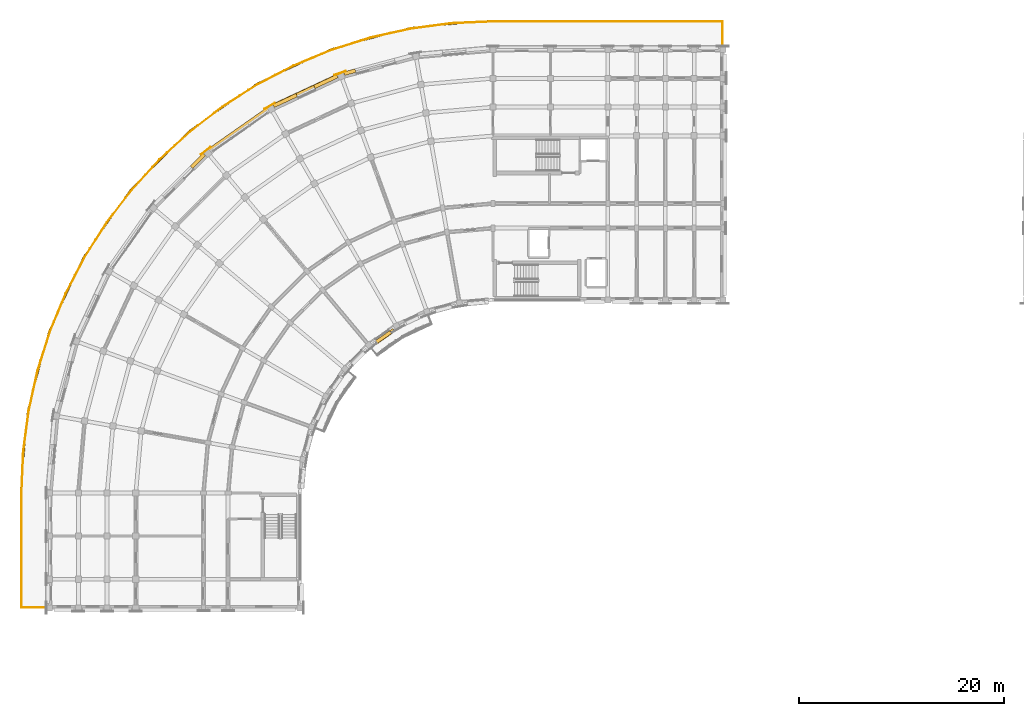
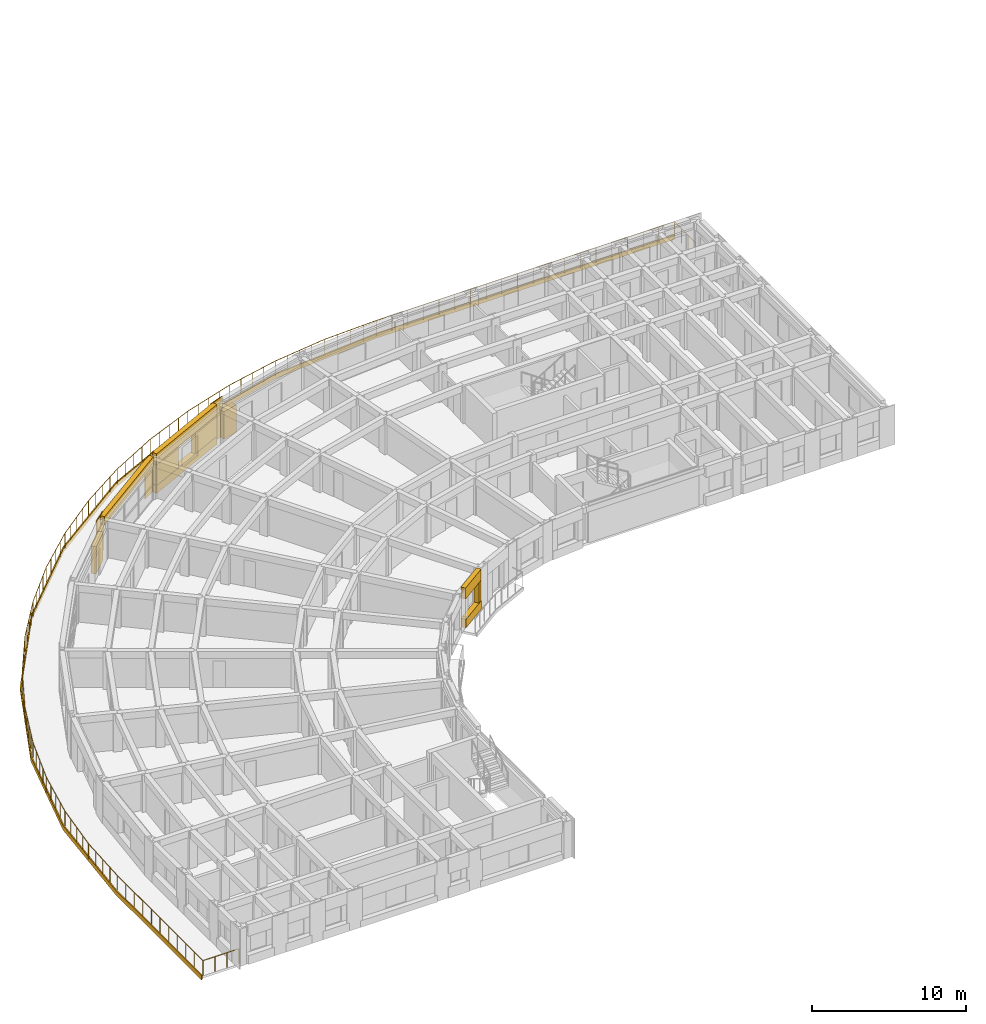
# One storey, part 25 of 32: 14 coverings, 1 railing.
"""IFC4 building model written with IfcOpenShell, lengths in metres."""

from ifc_helpers import new_model, si_unit, direction, frame, origin, origin_2d, place, context, subcontext, project, spatial, polyline, circle, outline, extrude, material, layer, layer_set, type_object, element, save


model = new_model("IFC4")

# Units and contexts
model_context = context("Model", 3, precision=1e-05, world=origin(), true_north=direction((0.0, 1.0)))
body_context = subcontext(model_context, "Body", "Model", "MODEL_VIEW")
ifc_project = project(units=[si_unit("LENGTHUNIT", "METRE"), si_unit("AREAUNIT", "SQUARE_METRE"), si_unit("VOLUMEUNIT", "CUBIC_METRE"), si_unit("PLANEANGLEUNIT", "RADIAN"), si_unit("MASSUNIT", "GRAM", prefix="KILO")], contexts=[model_context])

# Site, building, storey
site_placement = place(None, origin())
site = spatial("IfcSite", under=ifc_project, at=site_placement, CompositionType="ELEMENT")
building_placement = place(site_placement, origin())
building = spatial("IfcBuilding", under=site, at=building_placement, Name="Kiranvali Square Residences", CompositionType="ELEMENT")
storey_placement = place(building_placement, frame((0.0, 0.0, 40.199951171875)))
storey = spatial("IfcBuildingStorey", under=building, at=storey_placement, Name="L12", CompositionType="ELEMENT", Elevation=40.199951171875)

# Coverings
ifc_material_1 = material(Name="Carved Porbandar limestone classical entablature and cornice", Category="masonry")
ifc_layer_1 = layer(ifc_material_1, 0.449951171875)
ifc_layer_set_1 = layer_set([ifc_layer_1], Name="Carved Porbandar limestone classical entablature and cornice")
covering_type_1 = type_object("IfcCoveringType", Name="COV-CLAD-CORN", PredefinedType="CLADDING", material=ifc_layer_set_1)
covering_1_placement = place(storey_placement, frame((0.0, 0.0, -0.280029296875)))
element("IfcCovering", 1, at=covering_1_placement, inside=storey, type_object=covering_type_1, Name="Block A L12 stepped curved terrace stone cornice band", PredefinedType="CLADDING", context=body_context, shape_type="SweptSolid", body=[
    extrude(outline(polyline([(70.60009765625, 133.885009765625), (48.199951171875, 133.885009765625), (40.197509765625, 133.184814453125), (32.43798828125, 131.105712890625), (25.157470703125, 127.710693359375), (18.5771484375, 123.103271484375), (12.896728515625, 117.4228515625), (8.289306640625, 110.842529296875), (4.894287109375, 103.56201171875), (2.815185546875, 95.802490234375), (2.114990234375, 87.800048828125), (2.114990234375, 76.60009765625), (2.197998046875, 76.60009765625), (2.197998046875, 87.800048828125), (2.89697265625, 95.7880859375), (4.97216796875, 103.53369140625), (8.361083984375, 110.801025390625), (12.96044921875, 117.36962890625), (18.63037109375, 123.03955078125), (25.198974609375, 127.638916015625), (32.46630859375, 131.02783203125), (40.2119140625, 133.10302734375), (48.199951171875, 133.802001953125), (70.60009765625, 133.802001953125), (70.60009765625, 133.885009765625)])), origin(), (0.0, 0.0, 1.0), 0.360107421875),
])
ifc_material_2 = material(Name="Honed Porbandar limestone ashlar facade cladding", Category="masonry")
ifc_layer_2 = layer(ifc_material_2, 0.3798828125)
ifc_layer_set_2 = layer_set([ifc_layer_2], Name="Honed Porbandar limestone ashlar facade cladding")
covering_type_2 = type_object("IfcCoveringType", Name="COV-CLAD-JAMB", PredefinedType="CLADDING", material=ifc_layer_set_2)
covering_2_placement = place(storey_placement, origin())
element("IfcCovering", 2, at=covering_2_placement, inside=storey, type_object=covering_type_2, Name="L12 deep limestone window jamb reveal A-L12-CRV-01.R", PredefinedType="CLADDING", context=body_context, shape_type="SweptSolid", body=[
    extrude(outline(polyline([(34.757080078125, 129.12451171875), (33.669677734375, 128.8330078125), (33.7626953125, 128.48583984375), (34.85009765625, 128.777099609375), (34.757080078125, 129.12451171875)])), origin(), (0.0, 0.0, 1.0), 2.179931640625),
])
covering_3_placement = place(storey_placement, frame((0.0, 0.0, 0.630126953125)))
element("IfcCovering", 3, at=covering_3_placement, inside=storey, type_object=covering_type_2, Name="L12 deep limestone window jamb reveal A-L12-CRV-02.L", PredefinedType="CLADDING", context=body_context, shape_type="SweptSolid", body=[
    extrude(outline(polyline([(32.955322265625, 128.572998046875), (30.72119140625, 127.53125), (30.873046875, 127.20556640625), (33.107421875, 128.247314453125), (32.955322265625, 128.572998046875)])), origin(), (0.0, 0.0, 1.0), 1.64990234375),
])
covering_4_placement = place(storey_placement, frame((0.0, 0.0, 0.630126953125)))
element("IfcCovering", 4, at=covering_4_placement, inside=storey, type_object=covering_type_2, Name="L12 deep limestone window jamb reveal A-L12-CRV-02.R", PredefinedType="CLADDING", context=body_context, shape_type="SweptSolid", body=[
    extrude(outline(polyline([(28.999267578125, 126.728271484375), (26.76513671875, 125.6865234375), (26.9169921875, 125.360595703125), (29.151123046875, 126.402587890625), (28.999267578125, 126.728271484375)])), origin(), (0.0, 0.0, 1.0), 1.64990234375),
])
covering_5_placement = place(storey_placement, origin())
element("IfcCovering", 5, at=covering_5_placement, inside=storey, type_object=covering_type_2, Name="L12 deep limestone window jamb reveal A-L12-CRV-04.L", PredefinedType="CLADDING", context=body_context, shape_type="SweptSolid", body=[
    extrude(outline(polyline([(19.929443359375, 120.900146484375), (18.69873046875, 119.66943359375), (18.952880859375, 119.415283203125), (20.183837890625, 120.64599609375), (19.929443359375, 120.900146484375)])), origin(), (0.0, 0.0, 1.0), 2.179931640625),
])
covering_6_placement = place(storey_placement, frame((0.0, 0.0, 0.672119140625)))
element("IfcCovering", 6, at=covering_6_placement, inside=storey, type_object=covering_type_2, Name="L12 deep limestone window jamb reveal A-L12-GDN-03.L", PredefinedType="CLADDING", context=body_context, shape_type="SweptSolid", body=[
    extrude(outline(polyline([(38.43994140625, 103.828369140625), (38.1337890625, 103.6142578125), (38.32861328125, 103.336181640625), (38.634521484375, 103.55029296875), (38.43994140625, 103.828369140625)])), origin(), (0.0, 0.0, 1.0), 1.599853515625),
])
ifc_layer_3 = layer(ifc_material_2, 0.06494140625)
ifc_layer_set_3 = layer_set([ifc_layer_3], Name="Honed Porbandar limestone ashlar facade cladding")
covering_type_3 = type_object("IfcCoveringType", Name="COV-CLAD-PIER", PredefinedType="CLADDING", material=ifc_layer_set_3)
covering_7_placement = place(storey_placement, frame((0.0, 0.0, 0.005126953125)))
element("IfcCovering", 7, at=covering_7_placement, inside=storey, type_object=covering_type_3, Name="L12 Classical limestone corner pilaster CLAD-PR-A-L12-A02", PredefinedType="CLADDING", context=body_context, shape_type="SweptSolid", body=[
    extrude(outline(polyline([(33.843994140625, 128.93896484375), (32.75390625, 128.542236328125), (32.77685546875, 128.478759765625), (33.866943359375, 128.87548828125), (33.843994140625, 128.93896484375)])), origin(), (0.0, 0.0, 1.0), 3.139892578125),
])
covering_8_placement = place(storey_placement, frame((0.0, 0.0, 0.005126953125)))
element("IfcCovering", 8, at=covering_8_placement, inside=storey, type_object=covering_type_3, Name="L12 Classical limestone corner pilaster CLAD-PR-A-L12-A03", PredefinedType="CLADDING", context=body_context, shape_type="SweptSolid", body=[
    extrude(outline(polyline([(26.918212890625, 125.821044921875), (25.913818359375, 125.240966796875), (25.947509765625, 125.1826171875), (26.9521484375, 125.762451171875), (26.918212890625, 125.821044921875)])), origin(), (0.0, 0.0, 1.0), 3.139892578125),
])
covering_9_placement = place(storey_placement, frame((0.0, 0.0, 0.005126953125)))
element("IfcCovering", 9, at=covering_9_placement, inside=storey, type_object=covering_type_3, Name="L12 Classical limestone corner pilaster CLAD-PR-A-L12-A04", PredefinedType="CLADDING", context=body_context, shape_type="SweptSolid", body=[
    extrude(outline(polyline([(20.639404296875, 121.5478515625), (19.750732421875, 120.80224609375), (19.794189453125, 120.75048828125), (20.6826171875, 121.49609375), (20.639404296875, 121.5478515625)])), origin(), (0.0, 0.0, 1.0), 3.139892578125),
])
ifc_layer_4 = layer(ifc_material_2, 0.360107421875)
ifc_layer_set_4 = layer_set([ifc_layer_4], Name="Honed Porbandar limestone ashlar facade cladding")
covering_type_4 = type_object("IfcCoveringType", Name="COV-CLAD-WALL", PredefinedType="CLADDING", material=ifc_layer_set_4)
covering_10_placement = place(storey_placement, frame((0.0, 0.0, 2.280029296875)))
element("IfcCovering", 10, at=covering_10_placement, inside=storey, type_object=covering_type_4, Name="L12 light limestone spandrel lintel A-L12-CRV-02", PredefinedType="CLADDING", context=body_context, shape_type="SweptSolid", body=[
    extrude(outline(polyline([(32.955322265625, 128.572998046875), (26.76513671875, 125.6865234375), (26.9169921875, 125.360595703125), (33.107421875, 128.247314453125), (32.955322265625, 128.572998046875)])), origin(), (0.0, 0.0, 1.0), 0.864990234375),
])
covering_11_placement = place(storey_placement, frame((0.0, 0.0, 2.47998046875)))
element("IfcCovering", 11, at=covering_11_placement, inside=storey, type_object=covering_type_4, Name="Block A L12 limestone terrace header 4", PredefinedType="CLADDING", context=body_context, shape_type="SweptSolid", body=[
    extrude(outline(polyline([(26.3935546875, 125.507080078125), (20.22509765625, 121.18798828125), (20.430419921875, 120.894775390625), (26.598876953125, 125.2138671875), (26.3935546875, 125.507080078125)])), origin(), (0.0, 0.0, 1.0), 0.6650390625),
])
covering_12_placement = place(storey_placement, frame((0.0, 0.0, 2.27197265625)))
element("IfcCovering", 12, at=covering_12_placement, inside=storey, type_object=covering_type_4, Name="L12 light limestone spandrel lintel A-L12-GDN-03", PredefinedType="CLADDING", context=body_context, shape_type="SweptSolid", body=[
    extrude(outline(polyline([(38.43994140625, 103.828369140625), (36.476318359375, 102.45361328125), (36.671142578125, 102.175537109375), (38.634521484375, 103.55029296875), (38.43994140625, 103.828369140625)])), origin(), (0.0, 0.0, 1.0), 0.873046875),
])
ifc_layer_5 = layer(ifc_material_2, 0.320068359375)
ifc_layer_set_5 = layer_set([ifc_layer_5], Name="Honed Porbandar limestone ashlar facade cladding")
covering_type_5 = type_object("IfcCoveringType", Name="COV-CLAD-WALL-UP", PredefinedType="CLADDING", material=ifc_layer_set_5)
covering_13_placement = place(storey_placement, frame((0.0, 0.0, 0.005126953125)))
element("IfcCovering", 13, at=covering_13_placement, inside=storey, type_object=covering_type_5, Name="L12 limestone window sill apron A-L12-CRV-02", PredefinedType="CLADDING", context=body_context, shape_type="SweptSolid", body=[
    extrude(outline(polyline([(32.942626953125, 128.600341796875), (26.75244140625, 125.713623046875), (26.9169921875, 125.360595703125), (33.107421875, 128.247314453125), (32.942626953125, 128.600341796875)])), origin(), (0.0, 0.0, 1.0), 0.625),
])
covering_14_placement = place(storey_placement, frame((0.0, 0.0, 0.005126953125)))
element("IfcCovering", 14, at=covering_14_placement, inside=storey, type_object=covering_type_5, Name="L12 limestone window sill apron A-L12-GDN-03", PredefinedType="CLADDING", context=body_context, shape_type="SweptSolid", body=[
    extrude(outline(polyline([(38.43994140625, 103.828369140625), (36.476318359375, 102.45361328125), (36.688232421875, 102.15087890625), (38.65185546875, 103.52587890625), (38.43994140625, 103.828369140625)])), origin(), (0.0, 0.0, 1.0), 0.6669921875),
])

# Railing
ifc_material_3 = material(Name="Powder-coated architectural bronze balustrade", Category="steel")
railing_type = type_object("IfcRailingType", Name="RL-TER-GOLD-1200", PredefinedType="BALUSTRADE", material=ifc_material_3)
railing_placement = place(storey_placement, frame((70.550048828125, 131.0400390625, 0.0)))
element("IfcRailing", 15, at=railing_placement, inside=storey, type_object=railing_type, Name="Block A L12 stepped curved corner terrace gold balustrade", PredefinedType="BALUSTRADE", context=body_context, shape_type="SweptSolid", body=[
    extrude(circle(Radius=0.02392578125, at=origin_2d()), frame((0.0, 0.0, 1.17578125), z_axis=(0.0, 1.0, 0.0), x_axis=(-1.0, 0.0, 0.0)), (0.0, 0.0, 1.0), 2.699951171875),
    extrude(circle(Radius=0.02392578125, at=origin_2d()), frame((0.0, 2.699951171875, 1.17578125), z_axis=(-1.0, 0.0, 0.0), x_axis=(0.0, -1.0, 0.0)), (0.0, 0.0, 1.0), 22.35009765625),
    extrude(circle(Radius=0.02392578125, at=origin_2d()), frame((-22.35009765625, 2.699951171875, 1.17578125), z_axis=(-0.999048326342, -0.043616987906, 0.0), x_axis=(0.043616987906, -0.999048326342, 0.0)), (0.0, 0.0, 1.0), 4.0078125),
    extrude(circle(Radius=0.02392578125, at=origin_2d()), frame((-26.35400390625, 2.525146484375, 1.17578125), z_axis=(-0.991442057801, -0.130547485706, 0.0), x_axis=(0.130547485706, -0.991442057801, 0.0)), (0.0, 0.0, 1.0), 4.007568359375),
    extrude(circle(Radius=0.02392578125, at=origin_2d()), frame((-30.327392578125, 2.001953125, 1.17578125), z_axis=(-0.976297298919, -0.216433786926, 0.0), x_axis=(0.216433786926, -0.976297298919, 0.0)), (0.0, 0.0, 1.0), 4.0078125),
    extrude(circle(Radius=0.02392578125, at=origin_2d()), frame((-34.240234375, 1.134521484375, 1.17578125), z_axis=(-0.953722503351, -0.300688188333, 0.0), x_axis=(0.300688188333, -0.953722503351, 0.0)), (0.0, 0.0, 1.0), 4.0078125),
    extrude(circle(Radius=0.02392578125, at=origin_2d()), frame((-38.0625, -0.070556640625, 1.17578125), z_axis=(-0.92387873318, -0.382685362115, 0.0), x_axis=(0.382685362115, -0.92387873318, 0.0)), (0.0, 0.0, 1.0), 4.0078125),
    extrude(circle(Radius=0.02392578125, at=origin_2d()), frame((-41.76513671875, -1.604248046875, 1.17578125), z_axis=(-0.887010254912, -0.461749724073, 0.0), x_axis=(0.461749724073, -0.887010254912, 0.0)), (0.0, 0.0, 1.0), 4.0078125),
    extrude(circle(Radius=0.02392578125, at=origin_2d()), frame((-45.320068359375, -3.454833984375, 1.17578125), z_axis=(-0.843398009102, -0.537289305907, 0.0), x_axis=(0.537289305907, -0.843398009102, 0.0)), (0.0, 0.0, 1.0), 4.0078125),
    extrude(circle(Radius=0.02392578125, at=origin_2d()), frame((-48.7001953125, -5.608154296875, 1.17578125), z_axis=(-0.793350379413, -0.608765287681, 0.0), x_axis=(0.608765287681, -0.793350379413, 0.0)), (0.0, 0.0, 1.0), 4.007568359375),
    extrude(circle(Radius=0.02392578125, at=origin_2d()), frame((-51.879638671875, -8.0478515625, 1.17578125), z_axis=(-0.737257802459, -0.675611525, 0.0), x_axis=(0.675611525, -0.737257802459, 0.0)), (0.0, 0.0, 1.0), 4.0078125),
    extrude(circle(Radius=0.02392578125, at=origin_2d()), frame((-54.83447265625, -10.755615234375, 1.17578125), z_axis=(-0.675611525, -0.737257802459, 0.0), x_axis=(0.737257802459, -0.675611525, 0.0)), (0.0, 0.0, 1.0), 4.0078125),
    extrude(circle(Radius=0.02392578125, at=origin_2d()), frame((-57.542236328125, -13.71044921875, 1.17578125), z_axis=(-0.608765287681, -0.793350379413, 0.0), x_axis=(0.793350379413, -0.608765287681, 0.0)), (0.0, 0.0, 1.0), 4.007568359375),
    extrude(circle(Radius=0.02392578125, at=origin_2d()), frame((-59.98193359375, -16.889892578125, 1.17578125), z_axis=(-0.537289305907, -0.843398009102, 0.0), x_axis=(0.843398009102, -0.537289305907, 0.0)), (0.0, 0.0, 1.0), 4.0078125),
    extrude(circle(Radius=0.02392578125, at=origin_2d()), frame((-62.13525390625, -20.27001953125, 1.17578125), z_axis=(-0.461749724073, -0.887010254912, 0.0), x_axis=(0.887010254912, -0.461749724073, 0.0)), (0.0, 0.0, 1.0), 4.0078125),
    extrude(circle(Radius=0.02392578125, at=origin_2d()), frame((-63.98583984375, -23.824951171875, 1.17578125), z_axis=(-0.382685362115, -0.92387873318, 0.0), x_axis=(0.92387873318, -0.382685362115, 0.0)), (0.0, 0.0, 1.0), 4.0078125),
    extrude(circle(Radius=0.02392578125, at=origin_2d()), frame((-65.51953125, -27.527587890625, 1.17578125), z_axis=(-0.300688188333, -0.953722503351, 0.0), x_axis=(0.953722503351, -0.300688188333, 0.0)), (0.0, 0.0, 1.0), 4.0078125),
    extrude(circle(Radius=0.02392578125, at=origin_2d()), frame((-66.724609375, -31.349853515625, 1.17578125), z_axis=(-0.216433786926, -0.976297298919, 0.0), x_axis=(0.976297298919, -0.216433786926, 0.0)), (0.0, 0.0, 1.0), 4.0078125),
    extrude(circle(Radius=0.02392578125, at=origin_2d()), frame((-67.592041015625, -35.2626953125, 1.17578125), z_axis=(-0.130547485706, -0.991442057801, 0.0), x_axis=(0.991442057801, -0.130547485706, 0.0)), (0.0, 0.0, 1.0), 4.007568359375),
    extrude(circle(Radius=0.02392578125, at=origin_2d()), frame((-68.115234375, -39.236083984375, 1.17578125), z_axis=(-0.043616987906, -0.999048326342, 0.0), x_axis=(0.999048326342, -0.043616987906, 0.0)), (0.0, 0.0, 1.0), 4.0078125),
    extrude(circle(Radius=0.02392578125, at=origin_2d()), frame((-68.2900390625, -43.239990234375, 1.17578125), z_axis=(0.0, -1.0, 0.0), x_axis=(1.0, 0.0, 0.0)), (0.0, 0.0, 1.0), 11.150146484375),
    extrude(circle(Radius=0.02392578125, at=origin_2d()), frame((-68.2900390625, -54.39013671875, 1.17578125), z_axis=(1.0, 0.0, 0.0), x_axis=(0.0, 1.0, 0.0)), (0.0, 0.0, 1.0), 2.699951171875),
    extrude(circle(Radius=0.02099609375, at=origin_2d()), origin(), (0.0, 0.0, 1.0), 1.15185546875),
    extrude(circle(Radius=0.02099609375, at=origin_2d()), frame((0.0, 0.89990234375, 0.0)), (0.0, 0.0, 1.0), 1.15185546875),
    extrude(circle(Radius=0.02099609375, at=origin_2d()), frame((0.0, 1.800048828125, 0.0)), (0.0, 0.0, 1.0), 1.15185546875),
    extrude(circle(Radius=0.02099609375, at=origin_2d()), frame((0.0, 2.699951171875, 0.0)), (0.0, 0.0, 1.0), 1.15185546875),
    extrude(circle(Radius=0.02099609375, at=origin_2d()), frame((-1.17626953125, 2.699951171875, 0.0)), (0.0, 0.0, 1.0), 1.15185546875),
    extrude(circle(Radius=0.02099609375, at=origin_2d()), frame((-2.3525390625, 2.699951171875, 0.0)), (0.0, 0.0, 1.0), 1.15185546875),
    extrude(circle(Radius=0.02099609375, at=origin_2d()), frame((-3.529052734375, 2.699951171875, 0.0)), (0.0, 0.0, 1.0), 1.15185546875),
    extrude(circle(Radius=0.02099609375, at=origin_2d()), frame((-4.705322265625, 2.699951171875, 0.0)), (0.0, 0.0, 1.0), 1.15185546875),
    extrude(circle(Radius=0.02099609375, at=origin_2d()), frame((-5.881591796875, 2.699951171875, 0.0)), (0.0, 0.0, 1.0), 1.15185546875),
    extrude(circle(Radius=0.02099609375, at=origin_2d()), frame((-7.057861328125, 2.699951171875, 0.0)), (0.0, 0.0, 1.0), 1.15185546875),
    extrude(circle(Radius=0.02099609375, at=origin_2d()), frame((-8.234130859375, 2.699951171875, 0.0)), (0.0, 0.0, 1.0), 1.15185546875),
    extrude(circle(Radius=0.02099609375, at=origin_2d()), frame((-9.41064453125, 2.699951171875, 0.0)), (0.0, 0.0, 1.0), 1.15185546875),
    extrude(circle(Radius=0.02099609375, at=origin_2d()), frame((-10.5869140625, 2.699951171875, 0.0)), (0.0, 0.0, 1.0), 1.15185546875),
    extrude(circle(Radius=0.02099609375, at=origin_2d()), frame((-11.76318359375, 2.699951171875, 0.0)), (0.0, 0.0, 1.0), 1.15185546875),
    extrude(circle(Radius=0.02099609375, at=origin_2d()), frame((-12.939453125, 2.699951171875, 0.0)), (0.0, 0.0, 1.0), 1.15185546875),
    extrude(circle(Radius=0.02099609375, at=origin_2d()), frame((-14.115966796875, 2.699951171875, 0.0)), (0.0, 0.0, 1.0), 1.15185546875),
    extrude(circle(Radius=0.02099609375, at=origin_2d()), frame((-15.292236328125, 2.699951171875, 0.0)), (0.0, 0.0, 1.0), 1.15185546875),
    extrude(circle(Radius=0.02099609375, at=origin_2d()), frame((-16.468505859375, 2.699951171875, 0.0)), (0.0, 0.0, 1.0), 1.15185546875),
    extrude(circle(Radius=0.02099609375, at=origin_2d()), frame((-17.644775390625, 2.699951171875, 0.0)), (0.0, 0.0, 1.0), 1.15185546875),
    extrude(circle(Radius=0.02099609375, at=origin_2d()), frame((-18.821044921875, 2.699951171875, 0.0)), (0.0, 0.0, 1.0), 1.15185546875),
    extrude(circle(Radius=0.02099609375, at=origin_2d()), frame((-19.99755859375, 2.699951171875, 0.0)), (0.0, 0.0, 1.0), 1.15185546875),
    extrude(circle(Radius=0.02099609375, at=origin_2d()), frame((-21.173828125, 2.699951171875, 0.0)), (0.0, 0.0, 1.0), 1.15185546875),
    extrude(circle(Radius=0.02099609375, at=origin_2d()), frame((-22.35009765625, 2.699951171875, 0.0)), (0.0, 0.0, 1.0), 1.15185546875),
    extrude(circle(Radius=0.02099609375, at=origin_2d()), frame((-23.35107421875, 2.65625, 0.0)), (0.0, 0.0, 1.0), 1.15185546875),
    extrude(circle(Radius=0.02099609375, at=origin_2d()), frame((-24.35205078125, 2.612548828125, 0.0)), (0.0, 0.0, 1.0), 1.15185546875),
    extrude(circle(Radius=0.02099609375, at=origin_2d()), frame((-25.35302734375, 2.56884765625, 0.0)), (0.0, 0.0, 1.0), 1.15185546875),
    extrude(circle(Radius=0.02099609375, at=origin_2d()), frame((-26.35400390625, 2.525146484375, 0.0)), (0.0, 0.0, 1.0), 1.15185546875),
    extrude(circle(Radius=0.02099609375, at=origin_2d()), frame((-27.347412109375, 2.394287109375, 0.0)), (0.0, 0.0, 1.0), 1.15185546875),
    extrude(circle(Radius=0.02099609375, at=origin_2d()), frame((-28.3408203125, 2.263671875, 0.0)), (0.0, 0.0, 1.0), 1.15185546875),
    extrude(circle(Radius=0.02099609375, at=origin_2d()), frame((-29.333984375, 2.1328125, 0.0)), (0.0, 0.0, 1.0), 1.15185546875),
    extrude(circle(Radius=0.02099609375, at=origin_2d()), frame((-30.327392578125, 2.001953125, 0.0)), (0.0, 0.0, 1.0), 1.15185546875),
    extrude(circle(Radius=0.02099609375, at=origin_2d()), frame((-31.3056640625, 1.78515625, 0.0)), (0.0, 0.0, 1.0), 1.15185546875),
    extrude(circle(Radius=0.02099609375, at=origin_2d()), frame((-32.28369140625, 1.568359375, 0.0)), (0.0, 0.0, 1.0), 1.15185546875),
    extrude(circle(Radius=0.02099609375, at=origin_2d()), frame((-33.261962890625, 1.351318359375, 0.0)), (0.0, 0.0, 1.0), 1.15185546875),
    extrude(circle(Radius=0.02099609375, at=origin_2d()), frame((-34.240234375, 1.134521484375, 0.0)), (0.0, 0.0, 1.0), 1.15185546875),
    extrude(circle(Radius=0.02099609375, at=origin_2d()), frame((-35.19580078125, 0.833251953125, 0.0)), (0.0, 0.0, 1.0), 1.15185546875),
    extrude(circle(Radius=0.02099609375, at=origin_2d()), frame((-36.1513671875, 0.531982421875, 0.0)), (0.0, 0.0, 1.0), 1.15185546875),
    extrude(circle(Radius=0.02099609375, at=origin_2d()), frame((-37.10693359375, 0.230712890625, 0.0)), (0.0, 0.0, 1.0), 1.15185546875),
    extrude(circle(Radius=0.02099609375, at=origin_2d()), frame((-38.0625, -0.070556640625, 0.0)), (0.0, 0.0, 1.0), 1.15185546875),
    extrude(circle(Radius=0.02099609375, at=origin_2d()), frame((-38.98828125, -0.4541015625, 0.0)), (0.0, 0.0, 1.0), 1.15185546875),
    extrude(circle(Radius=0.02099609375, at=origin_2d()), frame((-39.913818359375, -0.83740234375, 0.0)), (0.0, 0.0, 1.0), 1.15185546875),
    extrude(circle(Radius=0.02099609375, at=origin_2d()), frame((-40.83935546875, -1.220703125, 0.0)), (0.0, 0.0, 1.0), 1.15185546875),
    extrude(circle(Radius=0.02099609375, at=origin_2d()), frame((-41.76513671875, -1.604248046875, 0.0)), (0.0, 0.0, 1.0), 1.15185546875),
    extrude(circle(Radius=0.02099609375, at=origin_2d()), frame((-42.65380859375, -2.06689453125, 0.0)), (0.0, 0.0, 1.0), 1.15185546875),
    extrude(circle(Radius=0.02099609375, at=origin_2d()), frame((-43.54248046875, -2.529541015625, 0.0)), (0.0, 0.0, 1.0), 1.15185546875),
    extrude(circle(Radius=0.02099609375, at=origin_2d()), frame((-44.431396484375, -2.9921875, 0.0)), (0.0, 0.0, 1.0), 1.15185546875),
    extrude(circle(Radius=0.02099609375, at=origin_2d()), frame((-45.320068359375, -3.454833984375, 0.0)), (0.0, 0.0, 1.0), 1.15185546875),
    extrude(circle(Radius=0.02099609375, at=origin_2d()), frame((-46.1650390625, -3.9931640625, 0.0)), (0.0, 0.0, 1.0), 1.15185546875),
    extrude(circle(Radius=0.02099609375, at=origin_2d()), frame((-47.01025390625, -4.531494140625, 0.0)), (0.0, 0.0, 1.0), 1.15185546875),
    extrude(circle(Radius=0.02099609375, at=origin_2d()), frame((-47.855224609375, -5.06982421875, 0.0)), (0.0, 0.0, 1.0), 1.15185546875),
    extrude(circle(Radius=0.02099609375, at=origin_2d()), frame((-48.7001953125, -5.608154296875, 0.0)), (0.0, 0.0, 1.0), 1.15185546875),
    extrude(circle(Radius=0.02099609375, at=origin_2d()), frame((-49.4951171875, -6.218017578125, 0.0)), (0.0, 0.0, 1.0), 1.15185546875),
    extrude(circle(Radius=0.02099609375, at=origin_2d()), frame((-50.2900390625, -6.828125, 0.0)), (0.0, 0.0, 1.0), 1.15185546875),
    extrude(circle(Radius=0.02099609375, at=origin_2d()), frame((-51.084716796875, -7.43798828125, 0.0)), (0.0, 0.0, 1.0), 1.15185546875),
    extrude(circle(Radius=0.02099609375, at=origin_2d()), frame((-51.879638671875, -8.0478515625, 0.0)), (0.0, 0.0, 1.0), 1.15185546875),
    extrude(circle(Radius=0.02099609375, at=origin_2d()), frame((-52.618408203125, -8.724853515625, 0.0)), (0.0, 0.0, 1.0), 1.15185546875),
    extrude(circle(Radius=0.02099609375, at=origin_2d()), frame((-53.35693359375, -9.40185546875, 0.0)), (0.0, 0.0, 1.0), 1.15185546875),
    extrude(circle(Radius=0.02099609375, at=origin_2d()), frame((-54.095703125, -10.07861328125, 0.0)), (0.0, 0.0, 1.0), 1.15185546875),
    extrude(circle(Radius=0.02099609375, at=origin_2d()), frame((-54.83447265625, -10.755615234375, 0.0)), (0.0, 0.0, 1.0), 1.15185546875),
    extrude(circle(Radius=0.02099609375, at=origin_2d()), frame((-55.511474609375, -11.494384765625, 0.0)), (0.0, 0.0, 1.0), 1.15185546875),
    extrude(circle(Radius=0.02099609375, at=origin_2d()), frame((-56.1884765625, -12.23291015625, 0.0)), (0.0, 0.0, 1.0), 1.15185546875),
    extrude(circle(Radius=0.02099609375, at=origin_2d()), frame((-56.865234375, -12.9716796875, 0.0)), (0.0, 0.0, 1.0), 1.15185546875),
    extrude(circle(Radius=0.02099609375, at=origin_2d()), frame((-57.542236328125, -13.71044921875, 0.0)), (0.0, 0.0, 1.0), 1.15185546875),
    extrude(circle(Radius=0.02099609375, at=origin_2d()), frame((-58.152099609375, -14.50537109375, 0.0)), (0.0, 0.0, 1.0), 1.15185546875),
    extrude(circle(Radius=0.02099609375, at=origin_2d()), frame((-58.76220703125, -15.30029296875, 0.0)), (0.0, 0.0, 1.0), 1.15185546875),
    extrude(circle(Radius=0.02099609375, at=origin_2d()), frame((-59.3720703125, -16.094970703125, 0.0)), (0.0, 0.0, 1.0), 1.15185546875),
    extrude(circle(Radius=0.02099609375, at=origin_2d()), frame((-59.98193359375, -16.889892578125, 0.0)), (0.0, 0.0, 1.0), 1.15185546875),
    extrude(circle(Radius=0.02099609375, at=origin_2d()), frame((-60.520263671875, -17.73486328125, 0.0)), (0.0, 0.0, 1.0), 1.15185546875),
    extrude(circle(Radius=0.02099609375, at=origin_2d()), frame((-61.05859375, -18.580078125, 0.0)), (0.0, 0.0, 1.0), 1.15185546875),
    extrude(circle(Radius=0.02099609375, at=origin_2d()), frame((-61.596923828125, -19.425048828125, 0.0)), (0.0, 0.0, 1.0), 1.15185546875),
    extrude(circle(Radius=0.02099609375, at=origin_2d()), frame((-62.13525390625, -20.27001953125, 0.0)), (0.0, 0.0, 1.0), 1.15185546875),
    extrude(circle(Radius=0.02099609375, at=origin_2d()), frame((-62.597900390625, -21.15869140625, 0.0)), (0.0, 0.0, 1.0), 1.15185546875),
    extrude(circle(Radius=0.02099609375, at=origin_2d()), frame((-63.060546875, -22.04736328125, 0.0)), (0.0, 0.0, 1.0), 1.15185546875),
    extrude(circle(Radius=0.02099609375, at=origin_2d()), frame((-63.523193359375, -22.936279296875, 0.0)), (0.0, 0.0, 1.0), 1.15185546875),
    extrude(circle(Radius=0.02099609375, at=origin_2d()), frame((-63.98583984375, -23.824951171875, 0.0)), (0.0, 0.0, 1.0), 1.15185546875),
    extrude(circle(Radius=0.02099609375, at=origin_2d()), frame((-64.369140625, -24.75048828125, 0.0)), (0.0, 0.0, 1.0), 1.15185546875),
    extrude(circle(Radius=0.02099609375, at=origin_2d()), frame((-64.752685546875, -25.67626953125, 0.0)), (0.0, 0.0, 1.0), 1.15185546875),
    extrude(circle(Radius=0.02099609375, at=origin_2d()), frame((-65.13623046875, -26.60205078125, 0.0)), (0.0, 0.0, 1.0), 1.15185546875),
    extrude(circle(Radius=0.02099609375, at=origin_2d()), frame((-65.51953125, -27.527587890625, 0.0)), (0.0, 0.0, 1.0), 1.15185546875),
    extrude(circle(Radius=0.02099609375, at=origin_2d()), frame((-65.82080078125, -28.483154296875, 0.0)), (0.0, 0.0, 1.0), 1.15185546875),
    extrude(circle(Radius=0.02099609375, at=origin_2d()), frame((-66.1220703125, -29.438720703125, 0.0)), (0.0, 0.0, 1.0), 1.15185546875),
    extrude(circle(Radius=0.02099609375, at=origin_2d()), frame((-66.42333984375, -30.394287109375, 0.0)), (0.0, 0.0, 1.0), 1.15185546875),
    extrude(circle(Radius=0.02099609375, at=origin_2d()), frame((-66.724609375, -31.349853515625, 0.0)), (0.0, 0.0, 1.0), 1.15185546875),
    extrude(circle(Radius=0.02099609375, at=origin_2d()), frame((-66.94140625, -32.328125, 0.0)), (0.0, 0.0, 1.0), 1.15185546875),
    extrude(circle(Radius=0.02099609375, at=origin_2d()), frame((-67.158203125, -33.30615234375, 0.0)), (0.0, 0.0, 1.0), 1.15185546875),
    extrude(circle(Radius=0.02099609375, at=origin_2d()), frame((-67.375244140625, -34.284423828125, 0.0)), (0.0, 0.0, 1.0), 1.15185546875),
    extrude(circle(Radius=0.02099609375, at=origin_2d()), frame((-67.592041015625, -35.2626953125, 0.0)), (0.0, 0.0, 1.0), 1.15185546875),
    extrude(circle(Radius=0.02099609375, at=origin_2d()), frame((-67.722900390625, -36.256103515625, 0.0)), (0.0, 0.0, 1.0), 1.15185546875),
    extrude(circle(Radius=0.02099609375, at=origin_2d()), frame((-67.853515625, -37.24951171875, 0.0)), (0.0, 0.0, 1.0), 1.15185546875),
    extrude(circle(Radius=0.02099609375, at=origin_2d()), frame((-67.984375, -38.24267578125, 0.0)), (0.0, 0.0, 1.0), 1.15185546875),
    extrude(circle(Radius=0.02099609375, at=origin_2d()), frame((-68.115234375, -39.236083984375, 0.0)), (0.0, 0.0, 1.0), 1.15185546875),
    extrude(circle(Radius=0.02099609375, at=origin_2d()), frame((-68.158935546875, -40.237060546875, 0.0)), (0.0, 0.0, 1.0), 1.15185546875),
    extrude(circle(Radius=0.02099609375, at=origin_2d()), frame((-68.20263671875, -41.238037109375, 0.0)), (0.0, 0.0, 1.0), 1.15185546875),
    extrude(circle(Radius=0.02099609375, at=origin_2d()), frame((-68.246337890625, -42.239013671875, 0.0)), (0.0, 0.0, 1.0), 1.15185546875),
    extrude(circle(Radius=0.02099609375, at=origin_2d()), frame((-68.2900390625, -43.239990234375, 0.0)), (0.0, 0.0, 1.0), 1.15185546875),
    extrude(circle(Radius=0.02099609375, at=origin_2d()), frame((-68.2900390625, -44.35498046875, 0.0)), (0.0, 0.0, 1.0), 1.15185546875),
    extrude(circle(Radius=0.02099609375, at=origin_2d()), frame((-68.2900390625, -45.469970703125, 0.0)), (0.0, 0.0, 1.0), 1.15185546875),
    extrude(circle(Radius=0.02099609375, at=origin_2d()), frame((-68.2900390625, -46.5849609375, 0.0)), (0.0, 0.0, 1.0), 1.15185546875),
    extrude(circle(Radius=0.02099609375, at=origin_2d()), frame((-68.2900390625, -47.699951171875, 0.0)), (0.0, 0.0, 1.0), 1.15185546875),
    extrude(circle(Radius=0.02099609375, at=origin_2d()), frame((-68.2900390625, -48.81494140625, 0.0)), (0.0, 0.0, 1.0), 1.15185546875),
    extrude(circle(Radius=0.02099609375, at=origin_2d()), frame((-68.2900390625, -49.93017578125, 0.0)), (0.0, 0.0, 1.0), 1.15185546875),
    extrude(circle(Radius=0.02099609375, at=origin_2d()), frame((-68.2900390625, -51.045166015625, 0.0)), (0.0, 0.0, 1.0), 1.15185546875),
    extrude(circle(Radius=0.02099609375, at=origin_2d()), frame((-68.2900390625, -52.16015625, 0.0)), (0.0, 0.0, 1.0), 1.15185546875),
    extrude(circle(Radius=0.02099609375, at=origin_2d()), frame((-68.2900390625, -53.275146484375, 0.0)), (0.0, 0.0, 1.0), 1.15185546875),
    extrude(circle(Radius=0.02099609375, at=origin_2d()), frame((-68.2900390625, -54.39013671875, 0.0)), (0.0, 0.0, 1.0), 1.15185546875),
    extrude(circle(Radius=0.02099609375, at=origin_2d()), frame((-67.39013671875, -54.39013671875, 0.0)), (0.0, 0.0, 1.0), 1.15185546875),
    extrude(circle(Radius=0.02099609375, at=origin_2d()), frame((-66.489990234375, -54.39013671875, 0.0)), (0.0, 0.0, 1.0), 1.15185546875),
    extrude(circle(Radius=0.02099609375, at=origin_2d()), frame((-65.590087890625, -54.39013671875, 0.0)), (0.0, 0.0, 1.0), 1.15185546875),
])

save(model, "model.ifc")
